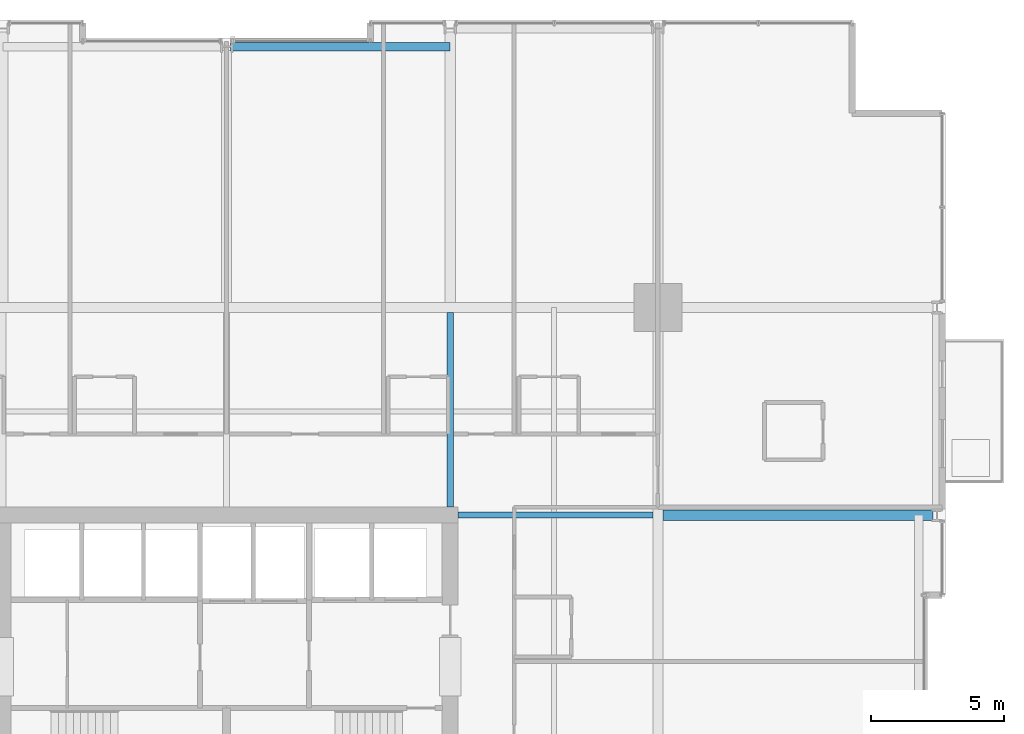
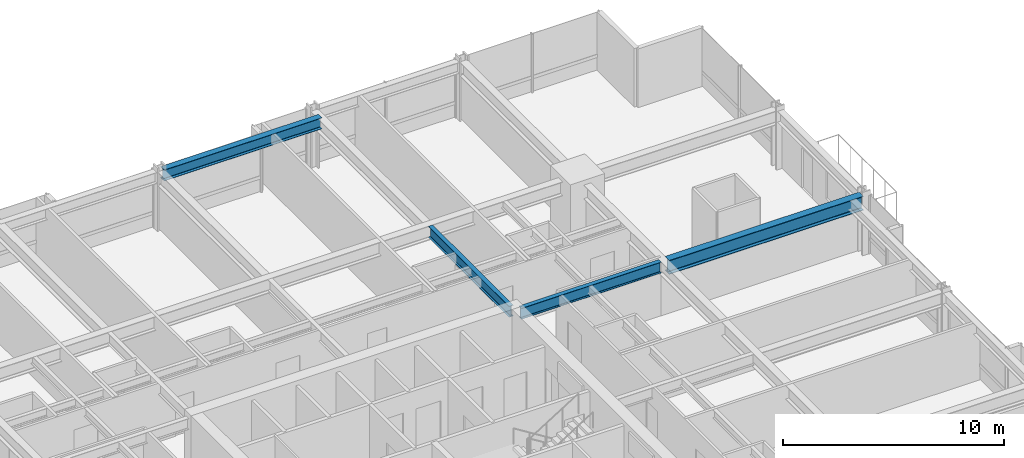
# One storey, part 24 of 38: 4 beams.
"""IFC4 building model written with IfcOpenShell, lengths in metres."""

from ifc_helpers import new_model, si_unit, direction, frame, origin, origin_2d, place, context, subcontext, project, spatial, i_section, extrude, material, material_profile, profile_set, type_object, element, save


model = new_model("IFC4")

# Units and contexts
model_context = context("Model", 3, precision=1e-05, world=origin(), true_north=direction((0.0, 1.0)))
body_context = subcontext(model_context, "Body", "Model", "MODEL_VIEW")
ifc_project = project(units=[si_unit("LENGTHUNIT", "METRE"), si_unit("AREAUNIT", "SQUARE_METRE"), si_unit("VOLUMEUNIT", "CUBIC_METRE"), si_unit("PLANEANGLEUNIT", "RADIAN"), si_unit("MASSUNIT", "GRAM", prefix="KILO")], contexts=[model_context])

# Site, building, storey
site_placement = place(None, origin())
site = spatial("IfcSite", under=ifc_project, at=site_placement, CompositionType="ELEMENT")
building_placement = place(site_placement, origin())
building = spatial("IfcBuilding", under=site, at=building_placement, Name="Drelvath Grand Hotel", CompositionType="ELEMENT")
storey_placement = place(building_placement, frame((0.0, 0.0, 71.699951171875)))
storey = spatial("IfcBuildingStorey", under=building, at=storey_placement, Name="L17", CompositionType="ELEMENT", Elevation=71.699951171875)

# Beams
ifc_material = material(Name="Steel ASTM A992 Gr 50", Category="steel")
ifc_material_profile_1 = material_profile(ifc_material, i_section(OverallWidth=0.323974609375, OverallDepth=0.611083984375, WebThickness=0.0126953125, FlangeThickness=0.01904296875, FilletRadius=0.02197265625, at=origin_2d()), Name="W24X104")
ifc_profile_set_1 = profile_set([ifc_material_profile_1], Name="Steel ASTM A992 Gr 50")
beam_type_1 = type_object("IfcBeamType", Name="Perimeter Spandrel Beam W24X104", PredefinedType="SPANDREL", material=ifc_profile_set_1)
beam_1_placement = place(storey_placement, frame((0.139892578125, 53.0, 2.9345703125), z_axis=(1.0, 0.0, 0.0), x_axis=(0.0, 1.0, 0.0)))
element("IfcBeam", 1, at=beam_1_placement, inside=storey, type_object=beam_type_1, Name="L17 Spandrel North Mid E", PredefinedType="SPANDREL", context=body_context, shape_type="SweptSolid", body=[
    extrude(i_section(OverallWidth=0.323974609375, OverallDepth=0.611083984375, WebThickness=0.0126953125, FlangeThickness=0.01904296875, FilletRadius=0.02197265625, at=origin_2d()), origin(), (0.0, 0.0, 1.0), 8.260009765625),
])
ifc_material_profile_2 = material_profile(ifc_material, i_section(OverallWidth=0.228271484375, OverallDepth=0.607666015625, WebThickness=0.01123046875, FlangeThickness=0.017333984375, FilletRadius=0.02001953125, at=origin_2d()), Name="W24X76")
ifc_profile_set_2 = profile_set([ifc_material_profile_2], Name="Steel ASTM A992 Gr 50")
beam_type_2 = type_object("IfcBeamType", Name="Primary Floor Girder W24X76", PredefinedType="BEAM", material=ifc_profile_set_2)
for number, where, z_axis, x_axis, name in (
    (2, (8.699951171875, 35.39990234375, 2.936279296875), (1.0, 0.0, 0.0), (0.0, 1.0, 0.0), "L17 East Core Tie F"),
    (3, (8.39990234375, 35.699951171875, 2.936279296875), (0.0, 1.0, 0.0), (-1.0, 0.0, 0.0), "L17 North Core Tie 6"),
):
    element("IfcBeam", number, at=place(storey_placement, frame(where, z_axis=z_axis, x_axis=x_axis)), inside=storey, type_object=beam_type_2, Name=name, PredefinedType="BEAM", context=body_context, shape_type="SweptSolid", body=[
        extrude(i_section(OverallWidth=0.228271484375, OverallDepth=0.607666015625, WebThickness=0.01123046875, FlangeThickness=0.017333984375, FilletRadius=0.02001953125, at=origin_2d()), origin(), (0.0, 0.0, 1.0), 7.309814453125),
    ])
ifc_material_profile_3 = material_profile(ifc_material, i_section(OverallWidth=0.380615234375, OverallDepth=0.773193359375, WebThickness=0.0166015625, FlangeThickness=0.027099609375, FilletRadius=0.02490234375, at=origin_2d()), Name="W30X173")
ifc_profile_set_3 = profile_set([ifc_material_profile_3], Name="Steel ASTM A992 Gr 50")
beam_type_3 = type_object("IfcBeamType", Name="Primary Floor Girder W30X173", PredefinedType="BEAM", material=ifc_profile_set_3)
beam_2_placement = place(storey_placement, frame((16.390380859375, 35.39990234375, 2.853515625), z_axis=(1.0, 0.0, 0.0), x_axis=(0.0, 1.0, 0.0)))
element("IfcBeam", 4, at=beam_2_placement, inside=storey, type_object=beam_type_3, Name="L17 East Wing Girder F", PredefinedType="BEAM", context=body_context, shape_type="SweptSolid", body=[
    extrude(i_section(OverallWidth=0.380615234375, OverallDepth=0.773193359375, WebThickness=0.0166015625, FlangeThickness=0.027099609375, FilletRadius=0.02490234375, at=origin_2d()), origin(), (0.0, 0.0, 1.0), 10.149658203125),
])

save(model, "model.ifc")
